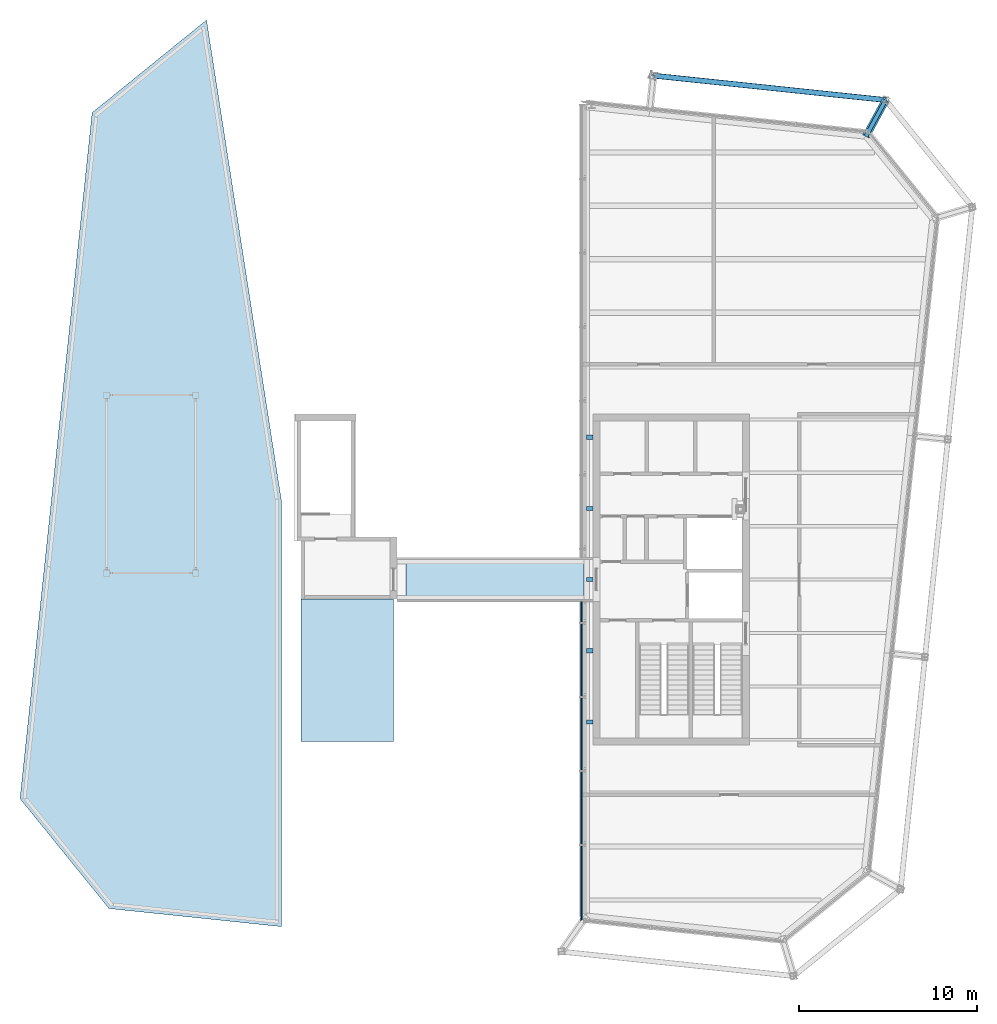
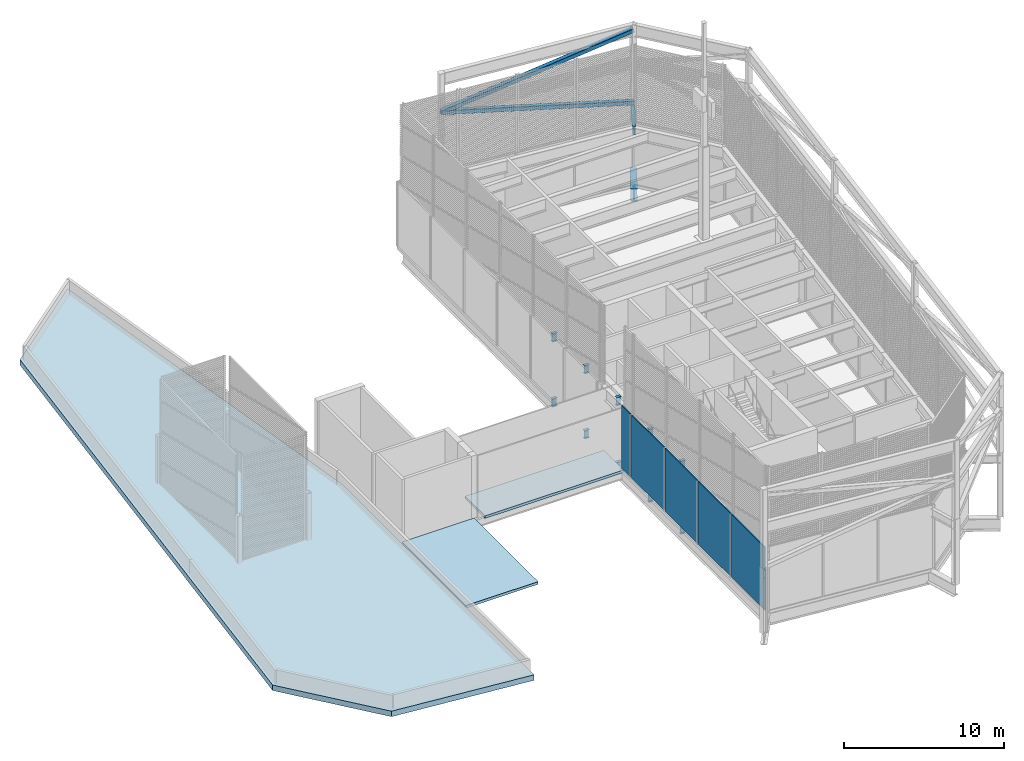
# One storey, part 7 of 11: 12 beams, 5 plates, 3 slabs, 2 members, 1 element without a shape of its own.
"""IFC4 building model written with IfcOpenShell, lengths in metres."""

from ifc_helpers import new_model, si_unit, direction, frame, origin, origin_2d, place, context, subcontext, project, spatial, polyline, hollow_rectangle, i_section, outline, extrude, material, layer, layer_set, material_profile, profile_set, type_object, element, aggregate, save


model = new_model("IFC4")

# Units and contexts
model_context = context("Model", 3, precision=1e-05, world=origin(), true_north=direction((0.0, 1.0)))
body_context = subcontext(model_context, "Body", "Model", "MODEL_VIEW")
ifc_project = project(units=[si_unit("LENGTHUNIT", "METRE"), si_unit("AREAUNIT", "SQUARE_METRE"), si_unit("VOLUMEUNIT", "CUBIC_METRE"), si_unit("PLANEANGLEUNIT", "RADIAN"), si_unit("MASSUNIT", "GRAM", prefix="KILO")], contexts=[model_context])

# Site, building, storey
site_placement = place(None, origin())
site = spatial("IfcSite", under=ifc_project, at=site_placement, CompositionType="ELEMENT")
building_placement = place(site_placement, origin())
building = spatial("IfcBuilding", under=site, at=building_placement, Name="Millrace Tower", CompositionType="ELEMENT")
storey_placement = place(building_placement, frame((0.0, 0.0, 357.10009765625)))
storey = spatial("IfcBuildingStorey", under=building, at=storey_placement, Name="L82", CompositionType="ELEMENT", Elevation=357.10009765625)

# Members
ifc_material_1 = material(Name="Steel ASTM A500 Grade C", Category="steel")
ifc_material_profile_1 = material_profile(ifc_material_1, hollow_rectangle(XDim=0.3046875, YDim=0.3046875, WallThickness=0.0126953125, InnerFilletRadius=0.00634765625, OuterFilletRadius=0.01904296875, at=origin_2d()))
ifc_profile_set_1 = profile_set([ifc_material_profile_1], Name="Steel ASTM A500 Grade C")
member_type = type_object("IfcMemberType", Name="CROWN FRAME brace HSS12x12x1/2", PredefinedType="BRACE", material=ifc_profile_set_1)
member_1_placement = place(storey_placement, frame((21.9599609375, 26.94921875, 5.0), z_axis=(-0.969531136586, 0.101902290927, 0.222767363619), x_axis=(-0.104528932251, -0.994521846076, 0.0)))
element("IfcMember", 1, at=member_1_placement, inside=storey, type_object=member_type, Name="CROWN FRAME brace E.7 lo", PredefinedType="BRACE", context=body_context, shape_type="SweptSolid", body=[
    extrude(hollow_rectangle(XDim=0.3046875, YDim=0.3046875, WallThickness=0.0126953125, InnerFilletRadius=0.00634765625, OuterFilletRadius=0.01904296875, at=origin_2d()), origin(), (0.0, 0.0, 1.0), 13.467041015625),
])
member_2_placement = place(storey_placement, frame((8.9033203125, 28.321533203125, 8.0), z_axis=(0.976465764895, -0.102631153038, 0.189687786677), x_axis=(0.104528932251, 0.994521846076, 0.0)))
element("IfcMember", 2, at=member_2_placement, inside=storey, type_object=member_type, Name="CROWN FRAME brace E.7 up", PredefinedType="BRACE", context=body_context, shape_type="SweptSolid", body=[
    extrude(hollow_rectangle(XDim=0.3046875, YDim=0.3046875, WallThickness=0.0126953125, InnerFilletRadius=0.00634765625, OuterFilletRadius=0.01904296875, at=origin_2d()), origin(), (0.0, 0.0, 1.0), 13.371337890625),
])

# Beams
ifc_material_2 = material(Name="Steel ASTM A992 Grade 50", Category="steel")
ifc_material_profile_2 = material_profile(ifc_material_2, i_section(OverallWidth=0.23046875, OverallDepth=0.6171875, WebThickness=0.01318359375, FlangeThickness=0.022216796875, FilletRadius=0.012939453125, at=origin_2d()))
ifc_profile_set_2 = profile_set([ifc_material_profile_2], Name="Steel ASTM A992 Grade 50")
beam_type_1 = type_object("IfcBeamType", Name="Link beam W24x94", PredefinedType="BEAM", material=ifc_profile_set_2)
beam_1_placement = place(storey_placement, frame((20.84765625, 24.900634765625, 4.44140625), z_axis=(0.477163510307, 0.87881453358, 0.0), x_axis=(-0.87881453358, 0.477163510307, 0.0)))
element("IfcBeam", 3, at=beam_1_placement, inside=storey, type_object=beam_type_1, Name="LNK-E-L82-RE-02", PredefinedType="BEAM", context=body_context, shape_type="SweptSolid", body=[
    extrude(i_section(OverallWidth=0.23046875, OverallDepth=0.6171875, WebThickness=0.01318359375, FlangeThickness=0.022216796875, FilletRadius=0.012939453125, at=origin_2d()), origin(), (0.0, 0.0, 1.0), 2.3310546875),
])
ifc_material_3 = material(Name="Steel ASTM A992 Grade 50", Category="steel")
ifc_material_profile_3 = material_profile(ifc_material_3, i_section(OverallWidth=0.421630859375, OverallDepth=0.95751953125, WebThickness=0.02587890625, FlangeThickness=0.046875, FilletRadius=0.024169921875, at=origin_2d()))
ifc_profile_set_3 = profile_set([ifc_material_profile_3], Name="Steel ASTM A992 Grade 50")
beam_type_2 = type_object("IfcBeamType", Name="Link beam W36x330", PredefinedType="BEAM", material=ifc_profile_set_3)
beam_2_placement = place(storey_placement, frame((20.84765625, 24.900634765625, -0.47900390625), z_axis=(0.477163510307, 0.87881453358, 0.0), x_axis=(-0.87881453358, 0.477163510307, 0.0)))
element("IfcBeam", 4, at=beam_2_placement, inside=storey, type_object=beam_type_2, Name="LNK-CROWN-L82-SE-02", PredefinedType="BEAM", context=body_context, shape_type="SweptSolid", body=[
    extrude(i_section(OverallWidth=0.421630859375, OverallDepth=0.95751953125, WebThickness=0.02587890625, FlangeThickness=0.046875, FilletRadius=0.024169921875, at=origin_2d()), origin(), (0.0, 0.0, 1.0), 2.3310546875),
])
ifc_material_4 = material(Name="Steel ASTM A992 Grade 50", Category="steel")
ifc_material_profile_4 = material_profile(ifc_material_4, i_section(OverallWidth=0.23046875, OverallDepth=0.6171875, WebThickness=0.01318359375, FlangeThickness=0.022216796875, FilletRadius=0.012939453125, at=origin_2d()))
ifc_profile_set_4 = profile_set([ifc_material_profile_4], Name="Steel ASTM A992 Grade 50")
beam_type_3 = type_object("IfcBeamType", Name="Tie beam W24x94", PredefinedType="BEAM", material=ifc_profile_set_4)
for number, where, z_axis, x_axis, name in (
    (5, (5.153564453125, -8.0, -0.5087890625), (1.0, 0.0, 0.0), (0.0, 1.0, 0.0), "LNK-CROWN-L82-SE-T01"),
    (6, (5.153564453125, -4.0, -0.5087890625), (1.0, 0.0, 0.0), (0.0, 1.0, 0.0), "LNK-CROWN-L82-SE-T02"),
    (7, (5.153564453125, 0.0, -0.5087890625), (1.0, 0.0, 0.0), (0.0, 1.0, 0.0), "LNK-CROWN-L82-SE-T03"),
    (8, (5.153564453125, 4.0, -0.5087890625), (1.0, 0.0, 0.0), (0.0, 1.0, 0.0), "LNK-CROWN-L82-SE-T04"),
    (9, (5.153564453125, 8.0, -0.5087890625), (1.0, 0.0, 0.0), (0.0, 1.0, 0.0), "LNK-CROWN-L82-SE-T05"),
    (10, (5.153564453125, -8.0, 4.44140625), (1.0, 0.0, 0.0), (0.0, 1.0, 0.0), "LNK-E-L82-RE-T01"),
    (11, (5.153564453125, -4.0, 4.44140625), (1.0, 0.0, 0.0), (0.0, 1.0, 0.0), "LNK-E-L82-RE-T02"),
    (12, (5.153564453125, 0.0, 4.44140625), (1.0, 0.0, 0.0), (0.0, 1.0, 0.0), "LNK-E-L82-RE-T03"),
    (13, (5.153564453125, 4.0, 4.44140625), (1.0, 0.0, 0.0), (0.0, 1.0, 0.0), "LNK-E-L82-RE-T04"),
    (14, (5.153564453125, 8.0, 4.44140625), (1.0, 0.0, 0.0), (0.0, 1.0, 0.0), "LNK-E-L82-RE-T05"),
):
    element("IfcBeam", number, at=place(storey_placement, frame(where, z_axis=z_axis, x_axis=x_axis)), inside=storey, type_object=beam_type_3, Name=name, PredefinedType="BEAM", context=body_context, shape_type="SweptSolid", body=[
        extrude(i_section(OverallWidth=0.23046875, OverallDepth=0.6171875, WebThickness=0.01318359375, FlangeThickness=0.022216796875, FilletRadius=0.012939453125, at=origin_2d()), origin(), (0.0, 0.0, 1.0), 0.346435546875),
    ])

# Slab
ifc_material_5 = material(Name="Concrete C40", Category="concrete")
ifc_layer_1 = layer(ifc_material_5, 0.419921875)
ifc_layer_set_1 = layer_set([ifc_layer_1], Name="Concrete C40")
slab_type_1 = type_object("IfcSlabType", Name="CROWN FRAME cap roof slab 420 mm", PredefinedType="ROOF", material=ifc_layer_set_1)
slab_1_placement = place(storey_placement, frame((0.0, 0.0, 1.0)))
element("IfcSlab", 15, at=slab_1_placement, inside=storey, type_object=slab_type_1, Name="CROWN FRAME cap roof slab W", PredefinedType="ROOF", context=body_context, shape_type="SweptSolid", body=[
    extrude(outline(polyline([(-12.0, -19.50537109375), (-12.0, 4.44921875), (-16.20556640625, 31.447265625), (-22.636962890625, 26.239013671875), (-25.305908203125, 0.846923828125), (-26.68896484375, -12.3125), (-21.68896484375, -18.487060546875), (-12.0, -19.50537109375)])), origin(), (0.0, 0.0, 1.0), 0.419921875),
])

# Curtain wall, plates
ifc_material_6 = material(Name="Aluminium and glass", Category="aluminium")
ifc_layer_2 = layer(ifc_material_6, 0.25)
ifc_layer_set_2 = layer_set([ifc_layer_2], Name="Aluminium and glass")
curtain_wall_type = type_object("IfcCurtainWallType", Name="CW-7 crown louvred enclosure", PredefinedType="NOTDEFINED", material=ifc_layer_set_2)
curtain_wall_placement = place(storey_placement, origin())
curtain_wall = element("IfcCurtainWall", 16, at=curtain_wall_placement, inside=storey, type_object=curtain_wall_type, Name="Curtain wall CE-F01 L82", PredefinedType="NOTDEFINED")
ifc_material_7 = material(Name="Glass", Category="glass")
ifc_layer_3 = layer(ifc_material_7, 0.080078125)
ifc_layer_set_3 = layer_set([ifc_layer_3], Name="Glass")
plate_type = type_object("IfcPlateType", Name="CW-7 crown louvred enclosure fixed louvre panel", PredefinedType="CURTAIN_PANEL", material=ifc_layer_set_3)
placement_1 = place(storey_placement, frame((0.0, 0.0, 0.199951171875)))
plate_1 = element("IfcPlate", 17, at=placement_1, type_object=plate_type, Name="CW7 panel CE-F01.8", PredefinedType="CURTAIN_PANEL", context=body_context, shape_type="SweptSolid", body=[
    extrude(outline(polyline([(4.8349609375, -2.4931640625), (4.8349609375, -6.552490234375), (4.9150390625, -6.552490234375), (4.9150390625, -2.4931640625), (4.8349609375, -2.4931640625)])), origin(), (0.0, 0.0, 1.0), 4.800048828125),
])
plate_2 = element("IfcPlate", 18, at=placement_1, type_object=plate_type, Name="CW7 panel CE-F01.9", PredefinedType="CURTAIN_PANEL", context=body_context, shape_type="SweptSolid", body=[
    extrude(outline(polyline([(4.8349609375, -6.65234375), (4.8349609375, -10.71142578125), (4.9150390625, -10.71142578125), (4.9150390625, -6.65234375), (4.8349609375, -6.65234375)])), origin(), (0.0, 0.0, 1.0), 4.800048828125),
])
plate_3 = element("IfcPlate", 19, at=placement_1, type_object=plate_type, Name="CW7 panel CE-F01.10", PredefinedType="CURTAIN_PANEL", context=body_context, shape_type="SweptSolid", body=[
    extrude(outline(polyline([(4.8349609375, -10.8115234375), (4.8349609375, -14.87060546875), (4.9150390625, -14.87060546875), (4.9150390625, -10.8115234375), (4.8349609375, -10.8115234375)])), origin(), (0.0, 0.0, 1.0), 4.800048828125),
])
plate_4 = element("IfcPlate", 20, at=placement_1, type_object=plate_type, Name="CW7 panel CE-F01.11", PredefinedType="CURTAIN_PANEL", context=body_context, shape_type="SweptSolid", body=[
    extrude(outline(polyline([(4.8349609375, -14.970703125), (4.8349609375, -19.178466796875), (4.9150390625, -19.1064453125), (4.9150390625, -14.970703125), (4.8349609375, -14.970703125)])), origin(), (0.0, 0.0, 1.0), 4.800048828125),
])
plate_5 = element("IfcPlate", 21, at=placement_1, type_object=plate_type, Name="CW7 panel CE-F01.7", PredefinedType="CURTAIN_PANEL", context=body_context, shape_type="SweptSolid", body=[
    extrude(outline(polyline([(4.8349609375, -1.239990234375), (4.8349609375, -2.393310546875), (4.9150390625, -2.393310546875), (4.9150390625, -1.239990234375), (4.8349609375, -1.239990234375)])), origin(), (0.0, 0.0, 1.0), 4.800048828125),
])
aggregate(curtain_wall, [plate_1, plate_2, plate_3, plate_4, plate_5])

# Slabs
ifc_material_8 = material(Name="Concrete C35 on steel deck", Category="concrete")
ifc_layer_4 = layer(ifc_material_8, 0.199951171875)
ifc_layer_set_4 = layer_set([ifc_layer_4], Name="Concrete C35 on steel deck")
slab_type_2 = type_object("IfcSlabType", Name="Composite floor slab 200 mm", PredefinedType="FLOOR", material=ifc_layer_set_4)
placement_2 = place(storey_placement, frame((0.0, 0.0, -0.2001953125)))
element("IfcSlab", 22, at=placement_2, inside=storey, type_object=slab_type_2, Name="SL-LK-L82", PredefinedType="FLOOR", context=body_context, shape_type="SweptSolid", body=[
    extrude(outline(polyline([(-5.0, -1.239990234375), (5.0, -1.239990234375), (5.0, 1.239990234375), (-5.0, 1.239990234375), (-5.0, -1.239990234375)])), origin(), (0.0, 0.0, 1.0), 0.2001953125),
])
ifc_material_9 = material(Name="Concrete C40", Category="concrete")
ifc_layer_5 = layer(ifc_material_9, 0.199951171875)
ifc_layer_set_5 = layer_set([ifc_layer_5], Name="Concrete C40")
slab_type_3 = type_object("IfcSlabType", Name="Plant room roof slab 200 mm", PredefinedType="ROOF", material=ifc_layer_set_5)
element("IfcSlab", 23, at=placement_2, inside=storey, type_object=slab_type_3, Name="SL-PL-W-L81", PredefinedType="ROOF", context=body_context, shape_type="SweptSolid", body=[
    extrude(outline(polyline([(-10.89990234375, -9.10009765625), (-5.699951171875, -9.10009765625), (-5.699951171875, -1.10009765625), (-10.89990234375, -1.10009765625), (-10.89990234375, -9.10009765625)])), origin(), (0.0, 0.0, 1.0), 0.2001953125),
])

save(model, "model.ifc")
